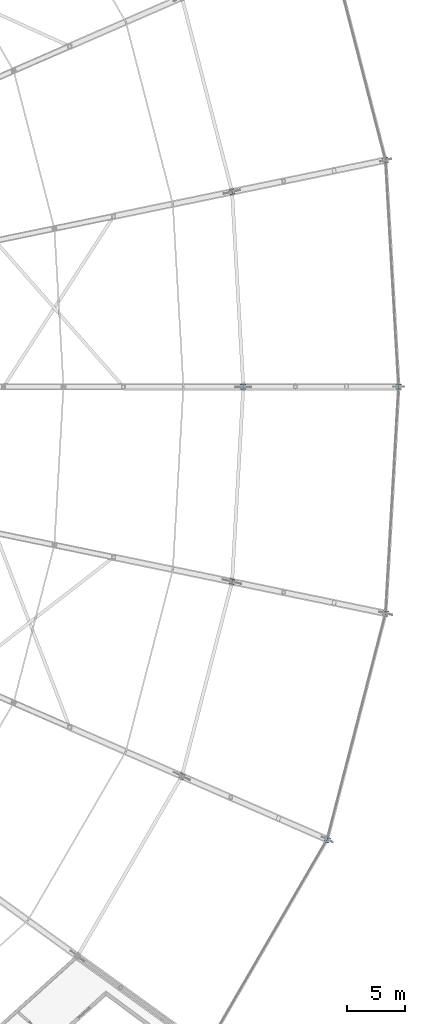
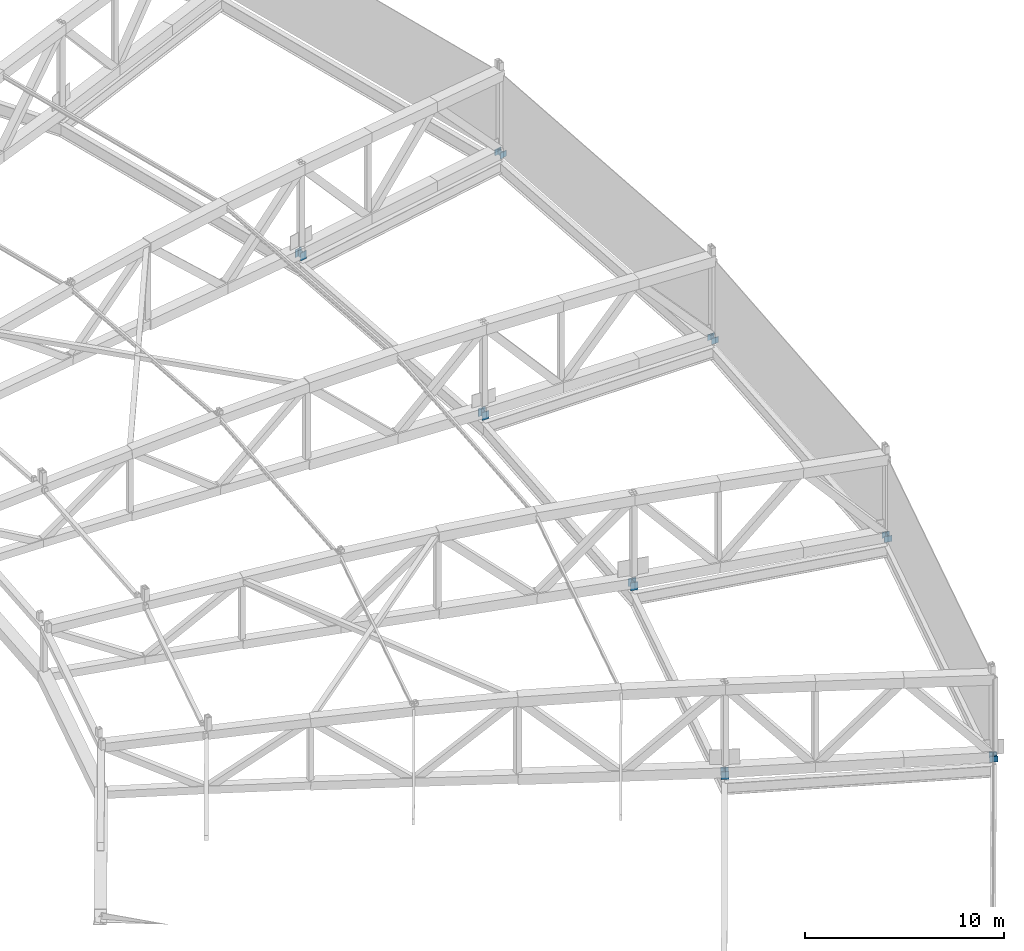
# One storey, part 10 of 162: 8 columns.
"""IFC4 building model written with IfcOpenShell, lengths in metres."""

from ifc_helpers import new_model, si_unit, direction, frame, origin, origin_2d, place, context, subcontext, project, spatial, i_section, extrude, material, material_profile, profile_set, type_object, element, save


model = new_model("IFC4")

# Units and contexts
model_context = context("Model", 3, precision=1e-05, world=origin(), true_north=direction((0.0, 1.0)))
body_context = subcontext(model_context, "Body", "Model", "MODEL_VIEW")
ifc_project = project(units=[si_unit("LENGTHUNIT", "METRE"), si_unit("AREAUNIT", "SQUARE_METRE"), si_unit("VOLUMEUNIT", "CUBIC_METRE"), si_unit("PLANEANGLEUNIT", "RADIAN"), si_unit("MASSUNIT", "GRAM", prefix="KILO")], contexts=[model_context])

# Site, building, storey
site_placement = place(None, origin())
site = spatial("IfcSite", under=ifc_project, at=site_placement, CompositionType="ELEMENT")
building_placement = place(site_placement, origin())
building = spatial("IfcBuilding", under=site, at=building_placement, Name="Kazemori Nagisa Stadium", CompositionType="ELEMENT")
storey_placement = place(building_placement, frame((0.0, 0.0, 36.719970703125)))
storey = spatial("IfcBuildingStorey", under=building, at=storey_placement, Name="RF", CompositionType="ELEMENT", Elevation=36.719970703125)

# Columns
ifc_material = material(Name="Steel SN490B", Category="steel")
ifc_material_profile = material_profile(ifc_material, i_section(OverallWidth=0.406982421875, OverallDepth=0.427978515625, WebThickness=0.02001953125, FlangeThickness=0.034912109375, FilletRadius=0.012939453125, at=origin_2d()), Name="H-428x407x20x35")
ifc_profile_set = profile_set([ifc_material_profile], Name="Steel SN490B")
column_type = type_object("IfcColumnType", Name="Column_C-H428", PredefinedType="COLUMN", material=ifc_profile_set)
column_1_placement = place(storey_placement, frame((218.0, 102.0, 0.0), z_axis=(0.0, 0.0, 1.0), x_axis=(1.0, 0.0, 0.0)))
element("IfcColumn", 1, at=column_1_placement, inside=storey, type_object=column_type, Name="Roof truss bearing pedestal R3-01", PredefinedType="COLUMN", context=body_context, shape_type="SweptSolid", body=[
    extrude(i_section(OverallWidth=0.406982421875, OverallDepth=0.427978515625, WebThickness=0.02001953125, FlangeThickness=0.034912109375, FilletRadius=0.012939453125, at=origin_2d()), origin(), (0.0, 0.0, 1.0), 0.360107421875),
])
column_2_placement = place(storey_placement, frame((204.699951171875, 102.0, 0.0), z_axis=(0.0, 0.0, 1.0), x_axis=(1.0, 0.0, 0.0)))
element("IfcColumn", 2, at=column_2_placement, inside=storey, type_object=column_type, Name="Roof truss bearing pedestal R2-01", PredefinedType="COLUMN", context=body_context, shape_type="SweptSolid", body=[
    extrude(i_section(OverallWidth=0.406982421875, OverallDepth=0.427978515625, WebThickness=0.02001953125, FlangeThickness=0.034912109375, FilletRadius=0.012939453125, at=origin_2d()), origin(), (0.0, 0.0, 1.0), 0.47998046875),
])
column_3_placement = place(storey_placement, frame((216.880859375, 121.397705078125, 0.0), z_axis=(0.0, 0.0, 1.0), x_axis=(0.974927912182, 0.222520933954, 0.0)))
element("IfcColumn", 3, at=column_3_placement, inside=storey, type_object=column_type, Name="Roof truss bearing pedestal R3-02", PredefinedType="COLUMN", context=body_context, shape_type="SweptSolid", body=[
    extrude(i_section(OverallWidth=0.406982421875, OverallDepth=0.427978515625, WebThickness=0.02001953125, FlangeThickness=0.034912109375, FilletRadius=0.012939453125, at=origin_2d()), origin(), (0.0, 0.0, 1.0), 0.360107421875),
])
column_4_placement = place(storey_placement, frame((203.737548828125, 118.68212890625, 0.0), z_axis=(0.0, 0.0, 1.0), x_axis=(0.974927912182, 0.222520933954, 0.0)))
element("IfcColumn", 4, at=column_4_placement, inside=storey, type_object=column_type, Name="Roof truss bearing pedestal R2-02", PredefinedType="COLUMN", context=body_context, shape_type="SweptSolid", body=[
    extrude(i_section(OverallWidth=0.406982421875, OverallDepth=0.427978515625, WebThickness=0.02001953125, FlangeThickness=0.034912109375, FilletRadius=0.012939453125, at=origin_2d()), origin(), (0.0, 0.0, 1.0), 0.47998046875),
])
column_5_placement = place(storey_placement, frame((211.885009765625, 63.25048828125, 0.0), z_axis=(0.0, 0.0, 1.0), x_axis=(0.900968867905, -0.433883739113, 0.0)))
element("IfcColumn", 5, at=column_5_placement, inside=storey, type_object=column_type, Name="Roof truss bearing pedestal R3-27", PredefinedType="COLUMN", context=body_context, shape_type="SweptSolid", body=[
    extrude(i_section(OverallWidth=0.406982421875, OverallDepth=0.427978515625, WebThickness=0.02001953125, FlangeThickness=0.034912109375, FilletRadius=0.012939453125, at=origin_2d()), origin(), (0.0, 0.0, 1.0), 0.360107421875),
])
column_6_placement = place(storey_placement, frame((199.44091796875, 68.67529296875, 0.0), z_axis=(0.0, 0.0, 1.0), x_axis=(0.900968867905, -0.433883739113, 0.0)))
element("IfcColumn", 6, at=column_6_placement, inside=storey, type_object=column_type, Name="Roof truss bearing pedestal R2-27", PredefinedType="COLUMN", context=body_context, shape_type="SweptSolid", body=[
    extrude(i_section(OverallWidth=0.406982421875, OverallDepth=0.427978515625, WebThickness=0.02001953125, FlangeThickness=0.034912109375, FilletRadius=0.012939453125, at=origin_2d()), origin(), (0.0, 0.0, 1.0), 0.47998046875),
])
column_7_placement = place(storey_placement, frame((216.880859375, 82.602294921875, 0.0), z_axis=(0.0, 0.0, 1.0), x_axis=(0.974927912182, -0.222520933954, 0.0)))
element("IfcColumn", 7, at=column_7_placement, inside=storey, type_object=column_type, Name="Roof truss bearing pedestal R3-28", PredefinedType="COLUMN", context=body_context, shape_type="SweptSolid", body=[
    extrude(i_section(OverallWidth=0.406982421875, OverallDepth=0.427978515625, WebThickness=0.02001953125, FlangeThickness=0.034912109375, FilletRadius=0.012939453125, at=origin_2d()), origin(), (0.0, 0.0, 1.0), 0.360107421875),
])
column_8_placement = place(storey_placement, frame((203.737548828125, 85.31787109375, 0.0), z_axis=(0.0, 0.0, 1.0), x_axis=(0.974927912182, -0.222520933954, 0.0)))
element("IfcColumn", 8, at=column_8_placement, inside=storey, type_object=column_type, Name="Roof truss bearing pedestal R2-28", PredefinedType="COLUMN", context=body_context, shape_type="SweptSolid", body=[
    extrude(i_section(OverallWidth=0.406982421875, OverallDepth=0.427978515625, WebThickness=0.02001953125, FlangeThickness=0.034912109375, FilletRadius=0.012939453125, at=origin_2d()), origin(), (0.0, 0.0, 1.0), 0.47998046875),
])

save(model, "model.ifc")
